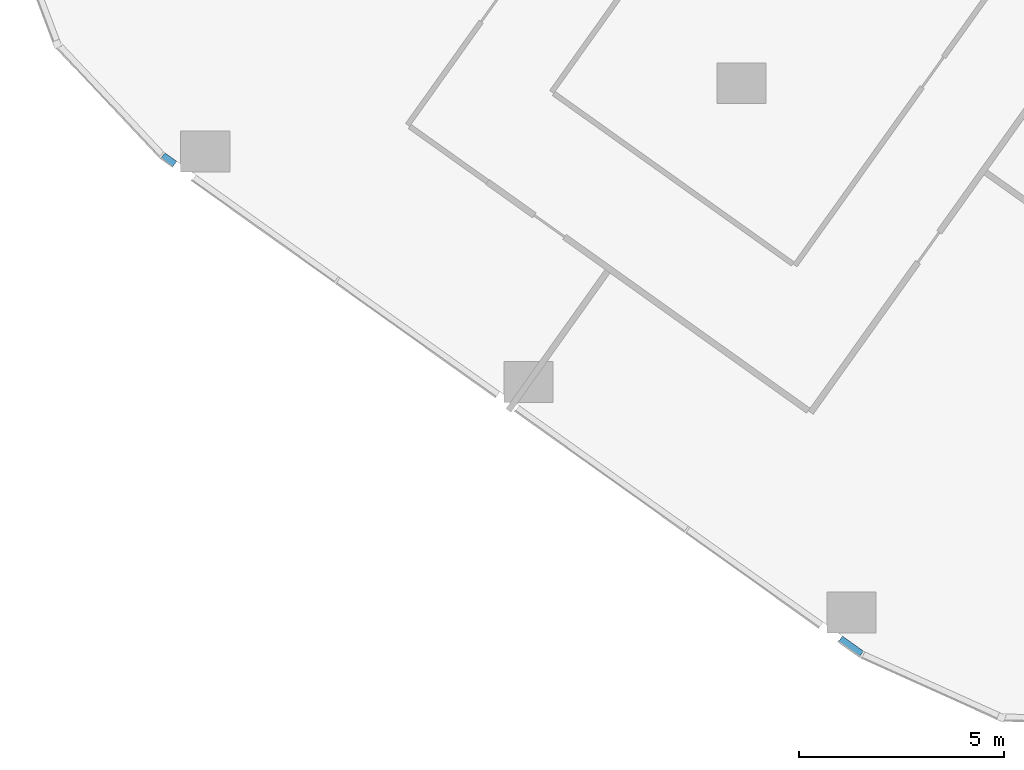
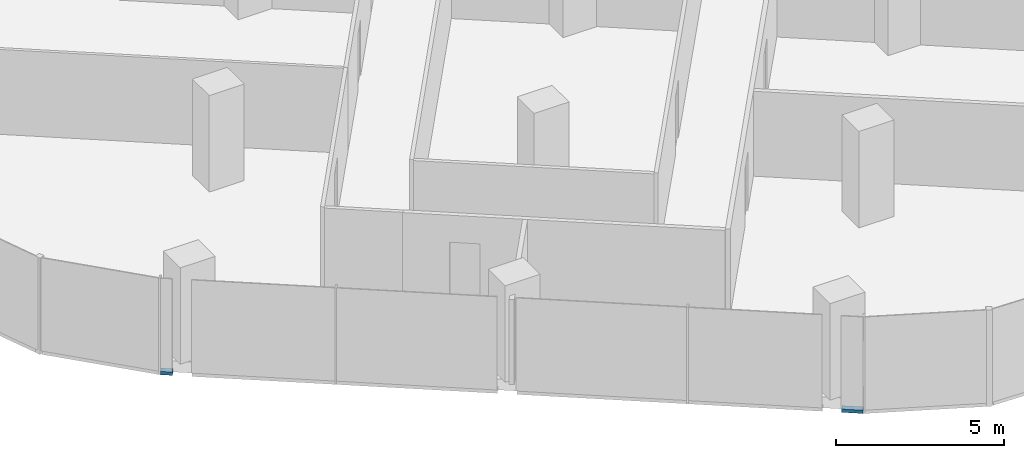
# One storey, part 14 of 31: 2 members, 1 element without a shape of its own.
"""IFC4 building model written with IfcOpenShell, lengths in metres."""

from ifc_helpers import new_model, si_unit, direction, frame, origin, origin_2d, place, context, subcontext, project, spatial, rectangle, extrude, material, material_profile, profile_set, type_object, element, aggregate, save


model = new_model("IFC4")

# Units and contexts
model_context = context("Model", 3, precision=1e-05, world=origin(), true_north=direction((0.0, 1.0)))
body_context = subcontext(model_context, "Body", "Model", "MODEL_VIEW")
ifc_project = project(units=[si_unit("LENGTHUNIT", "METRE"), si_unit("AREAUNIT", "SQUARE_METRE"), si_unit("VOLUMEUNIT", "CUBIC_METRE"), si_unit("PLANEANGLEUNIT", "RADIAN"), si_unit("MASSUNIT", "GRAM", prefix="KILO")], contexts=[model_context])

# Site, building, storey
site_placement = place(None, origin())
site = spatial("IfcSite", under=ifc_project, at=site_placement, CompositionType="ELEMENT")
building_placement = place(site_placement, origin())
building = spatial("IfcBuilding", under=site, at=building_placement, Name="Orlundy Tower", CompositionType="ELEMENT")
storey_placement = place(building_placement, frame((0.0, 0.0, 87.699951171875)))
storey = spatial("IfcBuildingStorey", under=building, at=storey_placement, Name="L21", CompositionType="ELEMENT", Elevation=87.699951171875)

# Curtain wall, members
ifc_material_1 = material(Name="Aluminium bronze anodised", Category="aluminium")
curtain_wall_type = type_object("IfcCurtainWallType", Name="CW1 wall", PredefinedType="NOTDEFINED", material=ifc_material_1)
curtain_wall_placement = place(storey_placement, origin())
curtain_wall = element("IfcCurtainWall", 1, at=curtain_wall_placement, inside=storey, type_object=curtain_wall_type, Name="CW1 run 023", PredefinedType="NOTDEFINED")
ifc_material_2 = material(Name="Aluminium bronze anodised", Category="aluminium")
ifc_material_profile = material_profile(ifc_material_2, rectangle(XDim=0.179931640625, YDim=0.1201171875, at=origin_2d()), Name="CW1 transom 180x120")
ifc_profile_set = profile_set([ifc_material_profile], Name="Aluminium bronze anodised")
member_type = type_object("IfcMemberType", Name="CW1 transom 180x120", PredefinedType="USERDEFINED", material=ifc_profile_set)
member_1_placement = place(storey_placement, frame((-26.6494140625, -55.414794921875, -0.33984375), z_axis=(-0.814281471373, 0.580470227813, 0.0), x_axis=(-0.580470227813, -0.814281471373, 0.0)))
member_1 = element("IfcMember", 2, at=member_1_placement, type_object=member_type, Name="CW1 transom", ObjectType="TRANSOM", PredefinedType="USERDEFINED", context=body_context, shape_type="SweptSolid", body=[
    extrude(rectangle(XDim=0.179931640625, YDim=0.1201171875, at=origin_2d()), origin(), (0.0, 0.0, 1.0), 0.6318359375),
])
member_2_placement = place(storey_placement, frame((-43.430908203125, -43.44580078125, -0.33984375), z_axis=(-0.814290728243, 0.580457242092, 0.0), x_axis=(-0.580457242092, -0.814290728243, 0.0)))
member_2 = element("IfcMember", 3, at=member_2_placement, type_object=member_type, Name="CW1 transom", ObjectType="TRANSOM", PredefinedType="USERDEFINED", context=body_context, shape_type="SweptSolid", body=[
    extrude(rectangle(XDim=0.179931640625, YDim=0.1201171875, at=origin_2d()), origin(), (0.0, 0.0, 1.0), 0.35498046875),
])
aggregate(curtain_wall, [member_1, member_2])

save(model, "model.ifc")
